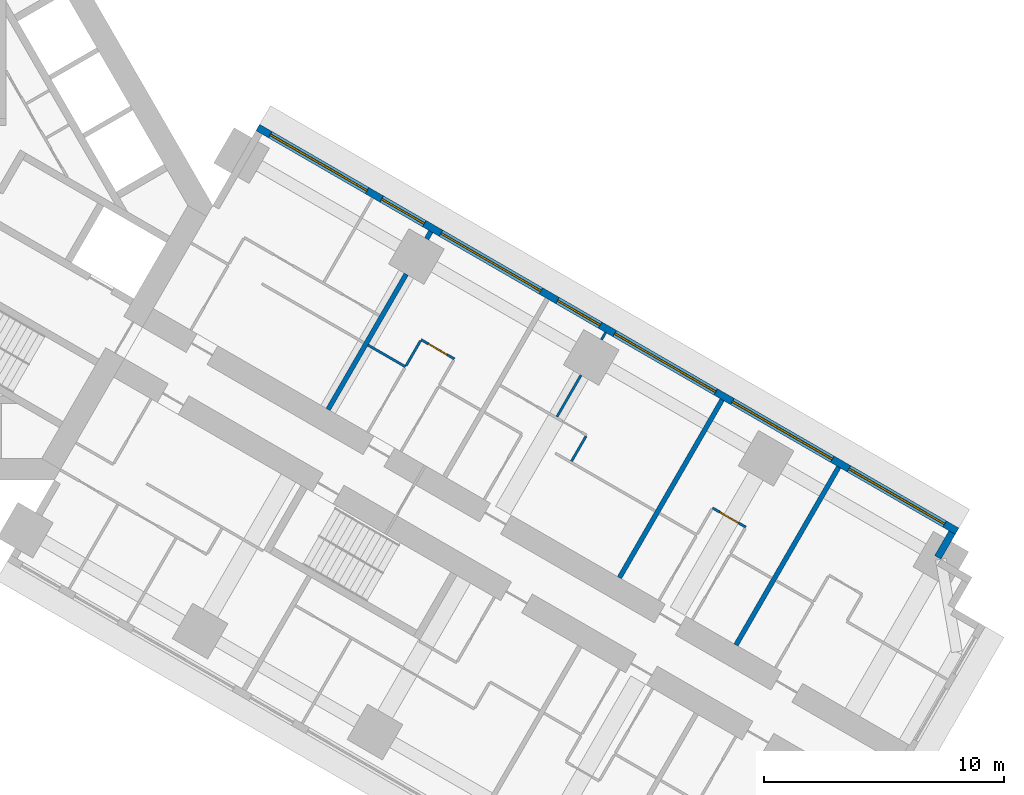
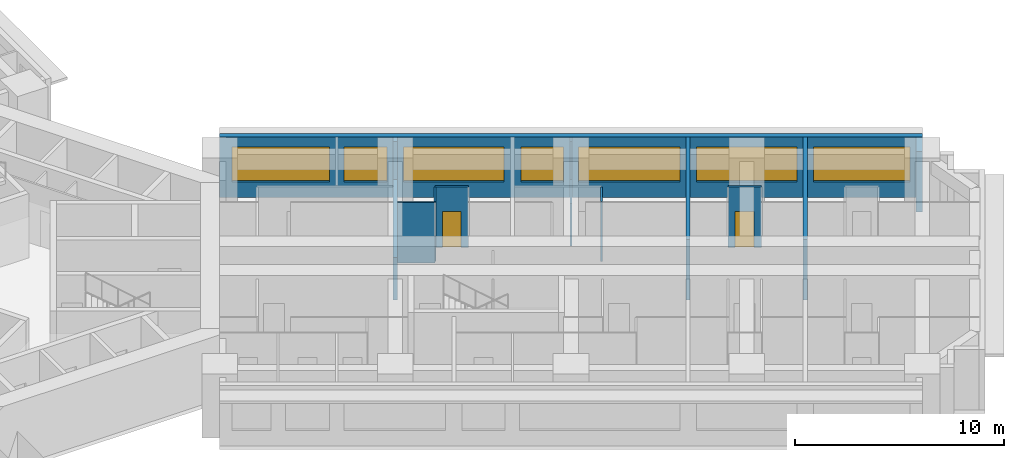
# One storey, part 13 of 16: 13 walls, 7 windows, 2 doors, 9 openings.
"""IFC4 building model written with IfcOpenShell, lengths in metres."""

from ifc_helpers import new_model, si_unit, direction, frame, frame_2d, origin, place, context, subcontext, project, spatial, rectangle, extrude, material, layer, layer_set, type_object, element, fill, save


model = new_model("IFC4")

# Units and contexts
model_context = context("Model", 3, precision=1e-05, world=origin(), true_north=direction((0.0, 1.0)))
body_context = subcontext(model_context, "Body", "Model", "MODEL_VIEW")
ifc_project = project(units=[si_unit("LENGTHUNIT", "METRE"), si_unit("AREAUNIT", "SQUARE_METRE"), si_unit("VOLUMEUNIT", "CUBIC_METRE"), si_unit("PLANEANGLEUNIT", "RADIAN"), si_unit("MASSUNIT", "GRAM", prefix="KILO")], contexts=[model_context])

# Site, building, storey
site_placement = place(None, origin())
site = spatial("IfcSite", under=ifc_project, at=site_placement, CompositionType="ELEMENT")
building_placement = place(site_placement, origin())
building = spatial("IfcBuilding", under=site, at=building_placement, Name="Impinga Residences", CompositionType="ELEMENT")
storey_placement = place(building_placement, frame((0.0, 0.0, 48.5)))
storey = spatial("IfcBuildingStorey", under=building, at=storey_placement, Name="L11", CompositionType="ELEMENT", Elevation=48.5)

# Wall, openings, windows
ifc_material_1 = material(Name="Terracotta rainscreen on blockwork", Category="masonry")
ifc_layer_1 = layer(ifc_material_1, 0.300048828125)
ifc_layer_set_1 = layer_set([ifc_layer_1], Name="EW1 external wall, terracotta rainscreen on blockwork 300")
wall_type_1 = type_object("IfcWallType", Name="EW1 external wall, terracotta rainscreen on blockwork 300", PredefinedType="SOLIDWALL", material=ifc_layer_set_1)
wall_1_placement = place(storey_placement, frame((15.074951171875, 3.24755859375, 0.0), z_axis=(0.0, 0.0, 1.0), x_axis=(0.866024291668, -0.500001926238, 0.0)))
wall_1 = element("IfcWall", 1, at=wall_1_placement, inside=storey, type_object=wall_type_1, Name="External wall EW1 L11", PredefinedType="SOLIDWALL", context=body_context, shape_type="SweptSolid", body=[
    extrude(rectangle(XDim=33.599853515625, YDim=0.300048828125, at=frame_2d((16.7998046875, 0.0))), origin(), (0.0, 0.0, 1.0), 3.530029296875),
])
opening_1_placement = place(wall_1_placement, frame((0.60009765625, 0.0, 0.89990234375)))
opening_1 = element("IfcOpeningElement", 2, at=opening_1_placement, cuts=wall_1, Name="Opening W10", PredefinedType="OPENING", context=body_context, shape_type="SweptSolid", body=[
    extrude(rectangle(XDim=4.64990234375, YDim=2.050048828125, at=frame_2d((2.324951171875, 1.02490234375))), frame((0.0, 0.159912109375, 0.0), z_axis=(0.0, -1.0, 0.0), x_axis=(1.0, 0.0, 0.0)), (0.0, 0.0, 1.0), 0.320068359375),
])
opening_2_placement = place(wall_1_placement, frame((5.949951171875, 0.0, 0.89990234375)))
opening_2 = element("IfcOpeningElement", 3, at=opening_2_placement, cuts=wall_1, Name="Opening W14", PredefinedType="OPENING", context=body_context, shape_type="SweptSolid", body=[
    extrude(rectangle(XDim=2.050048828125, YDim=2.050048828125, at=frame_2d((1.02490234375, 1.02490234375))), frame((0.0, 0.159912109375, 0.0), z_axis=(0.0, -1.0, 0.0), x_axis=(1.0, 0.0, 0.0)), (0.0, 0.0, 1.0), 0.320068359375),
])
opening_3_placement = place(wall_1_placement, frame((8.800048828125, 0.0, 0.89990234375)))
opening_3 = element("IfcOpeningElement", 4, at=opening_3_placement, cuts=wall_1, Name="Opening W8", PredefinedType="OPENING", context=body_context, shape_type="SweptSolid", body=[
    extrude(rectangle(XDim=4.800048828125, YDim=2.050048828125, at=frame_2d((2.39990234375, 1.02490234375))), frame((0.0, 0.159912109375, 0.0), z_axis=(0.0, -1.0, 0.0), x_axis=(1.0, 0.0, 0.0)), (0.0, 0.0, 1.0), 0.320068359375),
])
opening_4_placement = place(wall_1_placement, frame((14.39990234375, 0.0, 0.89990234375)))
opening_4 = element("IfcOpeningElement", 5, at=opening_4_placement, cuts=wall_1, Name="Opening W14", PredefinedType="OPENING", context=body_context, shape_type="SweptSolid", body=[
    extrude(rectangle(XDim=2.050048828125, YDim=2.050048828125, at=frame_2d((1.02490234375, 1.02490234375))), frame((0.0, 0.159912109375, 0.0), z_axis=(0.0, -1.0, 0.0), x_axis=(1.0, 0.0, 0.0)), (0.0, 0.0, 1.0), 0.320068359375),
])
opening_5_placement = place(wall_1_placement, frame((17.14990234375, 0.0, 0.89990234375)))
opening_5 = element("IfcOpeningElement", 6, at=opening_5_placement, cuts=wall_1, Name="Opening W6", PredefinedType="OPENING", context=body_context, shape_type="SweptSolid", body=[
    extrude(rectangle(XDim=4.85009765625, YDim=2.050048828125, at=frame_2d((2.425048828125, 1.02490234375))), frame((0.0, 0.159912109375, 0.0), z_axis=(0.0, -1.0, 0.0), x_axis=(1.0, 0.0, 0.0)), (0.0, 0.0, 1.0), 0.320068359375),
])
opening_6_placement = place(wall_1_placement, frame((22.800048828125, 0.0, 0.89990234375)))
opening_6 = element("IfcOpeningElement", 7, at=opening_6_placement, cuts=wall_1, Name="Opening W8", PredefinedType="OPENING", context=body_context, shape_type="SweptSolid", body=[
    extrude(rectangle(XDim=4.800048828125, YDim=2.050048828125, at=frame_2d((2.39990234375, 1.02490234375))), frame((0.0, 0.159912109375, 0.0), z_axis=(0.0, -1.0, 0.0), x_axis=(1.0, 0.0, 0.0)), (0.0, 0.0, 1.0), 0.320068359375),
])
opening_7_placement = place(wall_1_placement, frame((28.39990234375, 0.0, 0.89990234375)))
opening_7 = element("IfcOpeningElement", 8, at=opening_7_placement, cuts=wall_1, Name="Opening W3", PredefinedType="OPENING", context=body_context, shape_type="SweptSolid", body=[
    extrude(rectangle(XDim=4.60009765625, YDim=2.050048828125, at=frame_2d((2.300048828125, 1.02490234375))), frame((0.0, 0.159912109375, 0.0), z_axis=(0.0, -1.0, 0.0), x_axis=(1.0, 0.0, 0.0)), (0.0, 0.0, 1.0), 0.320068359375),
])
ifc_material_2 = material(Name="Aluminium window, clear double glazing", Category="aluminium")
window_type_1 = type_object("IfcWindowType", Name="W10 ribbon window 4650x2050", PartitioningType="SINGLE_PANEL", PredefinedType="WINDOW", material=ifc_material_2)
window_1_placement = place(opening_1_placement, origin())
window_1 = element("IfcWindow", 9, at=window_1_placement, inside=storey, type_object=window_type_1, Name="Window L11", OverallHeight=2.050048828125, OverallWidth=4.64990234375, PartitioningType="SINGLE_PANEL", PredefinedType="WINDOW", context=body_context, shape_type="SweptSolid", body=[
    extrude(rectangle(XDim=4.64990234375, YDim=2.050048828125, at=frame_2d((2.324951171875, 1.02490234375))), frame((0.0, 0.030029296875, 0.0), z_axis=(0.0, -1.0, 0.0), x_axis=(1.0, 0.0, 0.0)), (0.0, 0.0, 1.0), 0.06005859375),
])
fill(opening_1, window_1)
window_type_2 = type_object("IfcWindowType", Name="W14 ribbon window 2050x2050", PartitioningType="SINGLE_PANEL", PredefinedType="WINDOW", material=ifc_material_2)
window_2_placement = place(opening_2_placement, origin())
window_2 = element("IfcWindow", 10, at=window_2_placement, inside=storey, type_object=window_type_2, Name="Window L11", OverallHeight=2.050048828125, OverallWidth=2.050048828125, PartitioningType="SINGLE_PANEL", PredefinedType="WINDOW", context=body_context, shape_type="SweptSolid", body=[
    extrude(rectangle(XDim=2.050048828125, YDim=2.050048828125, at=frame_2d((1.02490234375, 1.02490234375))), frame((0.0, 0.030029296875, 0.0), z_axis=(0.0, -1.0, 0.0), x_axis=(1.0, 0.0, 0.0)), (0.0, 0.0, 1.0), 0.06005859375),
])
fill(opening_2, window_2)
window_3_placement = place(opening_4_placement, origin())
window_3 = element("IfcWindow", 11, at=window_3_placement, inside=storey, type_object=window_type_2, Name="Window L11", OverallHeight=2.050048828125, OverallWidth=2.050048828125, PartitioningType="SINGLE_PANEL", PredefinedType="WINDOW", context=body_context, shape_type="SweptSolid", body=[
    extrude(rectangle(XDim=2.050048828125, YDim=2.050048828125, at=frame_2d((1.02490234375, 1.02490234375))), frame((0.0, 0.030029296875, 0.0), z_axis=(0.0, -1.0, 0.0), x_axis=(1.0, 0.0, 0.0)), (0.0, 0.0, 1.0), 0.06005859375),
])
fill(opening_4, window_3)
window_type_3 = type_object("IfcWindowType", Name="W3 ribbon window 4600x2050", PartitioningType="SINGLE_PANEL", PredefinedType="WINDOW", material=ifc_material_2)
window_4_placement = place(opening_7_placement, origin())
window_4 = element("IfcWindow", 12, at=window_4_placement, inside=storey, type_object=window_type_3, Name="Window L11", OverallHeight=2.050048828125, OverallWidth=4.60009765625, PartitioningType="SINGLE_PANEL", PredefinedType="WINDOW", context=body_context, shape_type="SweptSolid", body=[
    extrude(rectangle(XDim=4.60009765625, YDim=2.050048828125, at=frame_2d((2.300048828125, 1.02490234375))), frame((0.0, 0.030029296875, 0.0), z_axis=(0.0, -1.0, 0.0), x_axis=(1.0, 0.0, 0.0)), (0.0, 0.0, 1.0), 0.06005859375),
])
fill(opening_7, window_4)
window_type_4 = type_object("IfcWindowType", Name="W6 ribbon window 4850x2050", PartitioningType="SINGLE_PANEL", PredefinedType="WINDOW", material=ifc_material_2)
window_5_placement = place(opening_5_placement, origin())
window_5 = element("IfcWindow", 13, at=window_5_placement, inside=storey, type_object=window_type_4, Name="Window L11", OverallHeight=2.050048828125, OverallWidth=4.85009765625, PartitioningType="SINGLE_PANEL", PredefinedType="WINDOW", context=body_context, shape_type="SweptSolid", body=[
    extrude(rectangle(XDim=4.85009765625, YDim=2.050048828125, at=frame_2d((2.425048828125, 1.02490234375))), frame((0.0, 0.030029296875, 0.0), z_axis=(0.0, -1.0, 0.0), x_axis=(1.0, 0.0, 0.0)), (0.0, 0.0, 1.0), 0.06005859375),
])
fill(opening_5, window_5)
window_type_5 = type_object("IfcWindowType", Name="W8 ribbon window 4800x2050", PartitioningType="SINGLE_PANEL", PredefinedType="WINDOW", material=ifc_material_2)
window_6_placement = place(opening_3_placement, origin())
window_6 = element("IfcWindow", 14, at=window_6_placement, inside=storey, type_object=window_type_5, Name="Window L11", OverallHeight=2.050048828125, OverallWidth=4.800048828125, PartitioningType="SINGLE_PANEL", PredefinedType="WINDOW", context=body_context, shape_type="SweptSolid", body=[
    extrude(rectangle(XDim=4.800048828125, YDim=2.050048828125, at=frame_2d((2.39990234375, 1.02490234375))), frame((0.0, 0.030029296875, 0.0), z_axis=(0.0, -1.0, 0.0), x_axis=(1.0, 0.0, 0.0)), (0.0, 0.0, 1.0), 0.06005859375),
])
fill(opening_3, window_6)
window_7_placement = place(opening_6_placement, origin())
window_7 = element("IfcWindow", 15, at=window_7_placement, inside=storey, type_object=window_type_5, Name="Window L11", OverallHeight=2.050048828125, OverallWidth=4.800048828125, PartitioningType="SINGLE_PANEL", PredefinedType="WINDOW", context=body_context, shape_type="SweptSolid", body=[
    extrude(rectangle(XDim=4.800048828125, YDim=2.050048828125, at=frame_2d((2.39990234375, 1.02490234375))), frame((0.0, 0.030029296875, 0.0), z_axis=(0.0, -1.0, 0.0), x_axis=(1.0, 0.0, 0.0)), (0.0, 0.0, 1.0), 0.06005859375),
])
fill(opening_6, window_7)

# Walls
wall_2_placement = place(storey_placement, frame((43.968505859375, -13.607421875, 0.0), z_axis=(0.0, 0.0, 1.0), x_axis=(-0.500029051137, -0.866008630453, 0.0)))
element("IfcWall", 16, at=wall_2_placement, inside=storey, type_object=wall_type_1, Name="External wall EW1 L11", PredefinedType="SOLIDWALL", context=body_context, shape_type="SweptSolid", body=[
    extrude(rectangle(XDim=1.19482421875, YDim=0.300048828125, at=frame_2d((0.597412109375, 0.0))), origin(), (0.0, 0.0, 1.0), 3.530029296875),
])
ifc_material_3 = material(Name="Gypsum board on steel studs", Category="steel")
ifc_layer_2 = layer(ifc_material_3, 0.10009765625)
ifc_layer_set_2 = layer_set([ifc_layer_2], Name="Gypsum board on steel studs")
wall_type_2 = type_object("IfcWallType", Name="IP1 partition 100", PredefinedType="PARTITIONING", material=ifc_layer_set_2)
wall_3_placement = place(storey_placement, frame((19.6611328125, -5.808837890625, 0.0), z_axis=(0.0, 0.0, 1.0), x_axis=(0.866047807691, -0.499961193289, 0.0)))
element("IfcWall", 17, at=wall_3_placement, inside=storey, type_object=wall_type_2, Name="Partition L11-EA2:DIV0", PredefinedType="PARTITIONING", context=body_context, shape_type="SweptSolid", body=[
    extrude(rectangle(XDim=1.800048828125, YDim=0.10009765625, at=frame_2d((0.89990234375, 0.0))), origin(), (0.0, 0.0, 1.0), 3.530029296875),
])

# Wall, opening, door
wall_4_placement = place(storey_placement, frame((21.8701171875, -5.5830078125, 0.0), z_axis=(0.0, 0.0, 1.0), x_axis=(0.865989903783, -0.500061482766, 0.0)))
wall_4 = element("IfcWall", 18, at=wall_4_placement, inside=storey, type_object=wall_type_2, Name="Partition L11-EA2:STRIP", PredefinedType="PARTITIONING", context=body_context, shape_type="SweptSolid", body=[
    extrude(rectangle(XDim=1.599853515625, YDim=0.10009765625, at=frame_2d((0.7998046875, 0.0))), origin(), (0.0, 0.0, 1.0), 3.530029296875),
])
opening_8_placement = place(wall_4_placement, frame((0.35009765625, 0.0, 0.0)))
opening_8 = element("IfcOpeningElement", 19, at=opening_8_placement, cuts=wall_4, Name="Opening D2", PredefinedType="OPENING", context=body_context, shape_type="SweptSolid", body=[
    extrude(rectangle(XDim=0.89990234375, YDim=2.10009765625, at=frame_2d((0.449951171875, 1.050048828125))), frame((0.0, 0.06005859375, 0.0), z_axis=(0.0, -1.0, 0.0), x_axis=(1.0, 0.0, 0.0)), (0.0, 0.0, 1.0), 0.1201171875),
])
ifc_material_4 = material(Name="Timber door set", Category="wood")
door_type = type_object("IfcDoorType", Name="D2 internal door 900x2100", OperationType="SINGLE_SWING_LEFT", PredefinedType="DOOR", material=ifc_material_4)
door_1_placement = place(opening_8_placement, origin())
door_1 = element("IfcDoor", 20, at=door_1_placement, inside=storey, type_object=door_type, Name="Apartment L11-EA2 room door", OperationType="SINGLE_SWING_LEFT", OverallHeight=2.10009765625, OverallWidth=0.89990234375, PredefinedType="DOOR", context=body_context, shape_type="SweptSolid", body=[
    extrude(rectangle(XDim=0.89990234375, YDim=2.10009765625, at=frame_2d((0.449951171875, 1.050048828125))), frame((0.0, 0.02490234375, 0.0), z_axis=(0.0, -1.0, 0.0), x_axis=(1.0, 0.0, 0.0)), (0.0, 0.0, 1.0), 0.050048828125),
])
fill(opening_8, door_1)

# Walls
wall_5_placement = place(storey_placement, frame((21.2451171875, -6.66552734375, 0.0), z_axis=(0.0, 0.0, 1.0), x_axis=(0.499880961361, 0.866094119867, 0.0)))
element("IfcWall", 21, at=wall_5_placement, inside=storey, type_object=wall_type_2, Name="Partition L11-EA2:SE0", PredefinedType="PARTITIONING", context=body_context, shape_type="SweptSolid", body=[
    extrude(rectangle(XDim=1.199951171875, YDim=0.10009765625, at=frame_2d((0.60009765625, 0.0))), origin(), (0.0, 0.0, 1.0), 3.530029296875),
])
wall_6_placement = place(storey_placement, frame((28.1298828125, -10.640625, 0.0), z_axis=(0.0, 0.0, 1.0), x_axis=(0.500033551112, 0.866006032174, 0.0)))
element("IfcWall", 22, at=wall_6_placement, inside=storey, type_object=wall_type_2, Name="Partition L11-EA3:SE1", PredefinedType="PARTITIONING", context=body_context, shape_type="SweptSolid", body=[
    extrude(rectangle(XDim=1.2001953125, YDim=0.10009765625, at=frame_2d((0.60009765625, 0.0))), origin(), (0.0, 0.0, 1.0), 3.530029296875),
])
wall_7_placement = place(storey_placement, frame((27.524169921875, -8.789794921875, 0.0), z_axis=(0.0, 0.0, 1.0), x_axis=(0.499972520799, 0.866041268327, 0.0)))
element("IfcWall", 23, at=wall_7_placement, inside=storey, type_object=wall_type_2, Name="Partition L11-EA3:OB1", PredefinedType="PARTITIONING", context=body_context, shape_type="SweptSolid", body=[
    extrude(rectangle(XDim=2.0, YDim=0.10009765625, at=frame_2d((1.0, 0.0))), origin(), (0.0, 0.0, 1.0), 2.47998046875),
])
wall_8_placement = place(storey_placement, frame((29.374267578125, -5.58544921875, 0.0), z_axis=(0.0, 0.0, 1.0), x_axis=(0.49996389635, 0.866046247233, 0.0)))
element("IfcWall", 24, at=wall_8_placement, inside=storey, type_object=wall_type_2, Name="Partition L11-EA3:OB1b", PredefinedType="PARTITIONING", context=body_context, shape_type="SweptSolid", body=[
    extrude(rectangle(XDim=0.35009765625, YDim=0.10009765625, at=frame_2d((0.175048828125, 0.0))), origin(), (0.0, 0.0, 1.0), 3.530029296875),
])

# Wall, opening, door
wall_9_placement = place(storey_placement, frame((33.994384765625, -12.5830078125, 0.0), z_axis=(0.0, 0.0, 1.0), x_axis=(0.866028054938, -0.499995408039, 0.0)))
wall_9 = element("IfcWall", 25, at=wall_9_placement, inside=storey, type_object=wall_type_2, Name="Partition L11-EA4:STRIP", PredefinedType="PARTITIONING", context=body_context, shape_type="SweptSolid", body=[
    extrude(rectangle(XDim=1.60009765625, YDim=0.10009765625, at=frame_2d((0.800048828125, 0.0))), origin(), (0.0, 0.0, 1.0), 3.530029296875),
])
opening_9_placement = place(wall_9_placement, frame((0.35009765625, 0.0, 0.0)))
opening_9 = element("IfcOpeningElement", 26, at=opening_9_placement, cuts=wall_9, Name="Opening D2", PredefinedType="OPENING", context=body_context, shape_type="SweptSolid", body=[
    extrude(rectangle(XDim=0.89990234375, YDim=2.10009765625, at=frame_2d((0.449951171875, 1.050048828125))), frame((0.0, 0.06005859375, 0.0), z_axis=(0.0, -1.0, 0.0), x_axis=(1.0, 0.0, 0.0)), (0.0, 0.0, 1.0), 0.1201171875),
])
door_2_placement = place(opening_9_placement, origin())
door_2 = element("IfcDoor", 27, at=door_2_placement, inside=storey, type_object=door_type, Name="Apartment L11-EA4 room door", OperationType="SINGLE_SWING_LEFT", OverallHeight=2.10009765625, OverallWidth=0.89990234375, PredefinedType="DOOR", context=body_context, shape_type="SweptSolid", body=[
    extrude(rectangle(XDim=0.89990234375, YDim=2.10009765625, at=frame_2d((0.449951171875, 1.050048828125))), frame((0.0, 0.02490234375, 0.0), z_axis=(0.0, -1.0, 0.0), x_axis=(1.0, 0.0, 0.0)), (0.0, 0.0, 1.0), 0.050048828125),
])
fill(opening_9, door_2)

# Walls
ifc_material_5 = material(Name="Concrete blockwork", Category="masonry")
ifc_layer_3 = layer(ifc_material_5, 0.199951171875)
ifc_layer_set_3 = layer_set([ifc_layer_3], Name="PW1 party wall between apartments 200")
wall_type_3 = type_object("IfcWallType", Name="PW1 party wall between apartments 200", PredefinedType="SOLIDWALL", material=ifc_layer_set_3)
wall_10_placement = place(storey_placement, frame((17.99951171875, -8.48681640625, 0.0), z_axis=(0.0, 0.0, 1.0), x_axis=(0.50000098154, 0.866024837091, 0.0)))
element("IfcWall", 28, at=wall_10_placement, inside=storey, type_object=wall_type_3, Name="Party wall between apartments L11-EA1:PARTY", PredefinedType="SOLIDWALL", context=body_context, shape_type="SweptSolid", body=[
    extrude(rectangle(XDim=6.5, YDim=0.199951171875, at=frame_2d((3.25, 0.0))), origin(), (0.0, 0.0, 1.0), 2.47998046875),
])
wall_11_placement = place(storey_placement, frame((22.099609375, -1.385498046875, 0.0), z_axis=(0.0, 0.0, 1.0), x_axis=(0.49996389635, 0.866046247233, 0.0)))
element("IfcWall", 29, at=wall_11_placement, inside=storey, type_object=wall_type_3, Name="Party wall between apartments L11-EA1:PARTYb", PredefinedType="SOLIDWALL", context=body_context, shape_type="SweptSolid", body=[
    extrude(rectangle(XDim=0.35009765625, YDim=0.199951171875, at=frame_2d((0.175048828125, 0.0))), origin(), (0.0, 0.0, 1.0), 3.530029296875),
])
for number, where, z_axis, x_axis, name in (
    (30, (30.1240234375, -15.48681640625, 0.0), (0.0, 0.0, 1.0), (0.499990227581, 0.86603104582, 0.0), "Party wall between apartments L11-EA3:PARTY"),
    (31, (34.9736328125, -18.286865234375, 0.0), (0.0, 0.0, 1.0), (0.500011643316, 0.866018681408, 0.0), "Party wall between apartments L11-EA4:PARTY"),
):
    element("IfcWall", number, at=place(storey_placement, frame(where, z_axis=z_axis, x_axis=x_axis)), inside=storey, type_object=wall_type_3, Name=name, PredefinedType="SOLIDWALL", context=body_context, shape_type="SweptSolid", body=[
        extrude(rectangle(XDim=8.550048828125, YDim=0.199951171875, at=frame_2d((4.27490234375, 0.0))), origin(), (0.0, 0.0, 1.0), 3.530029296875),
    ])

save(model, "model.ifc")
